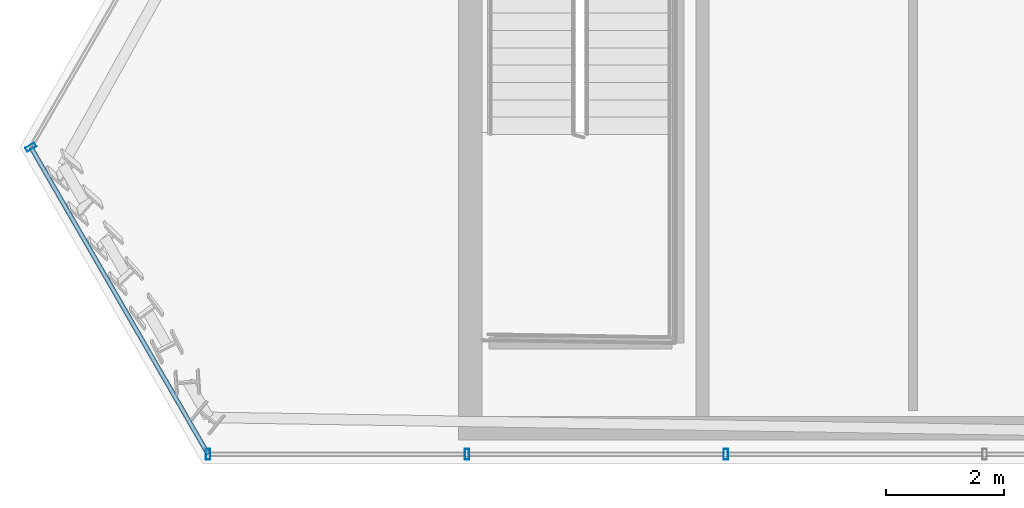
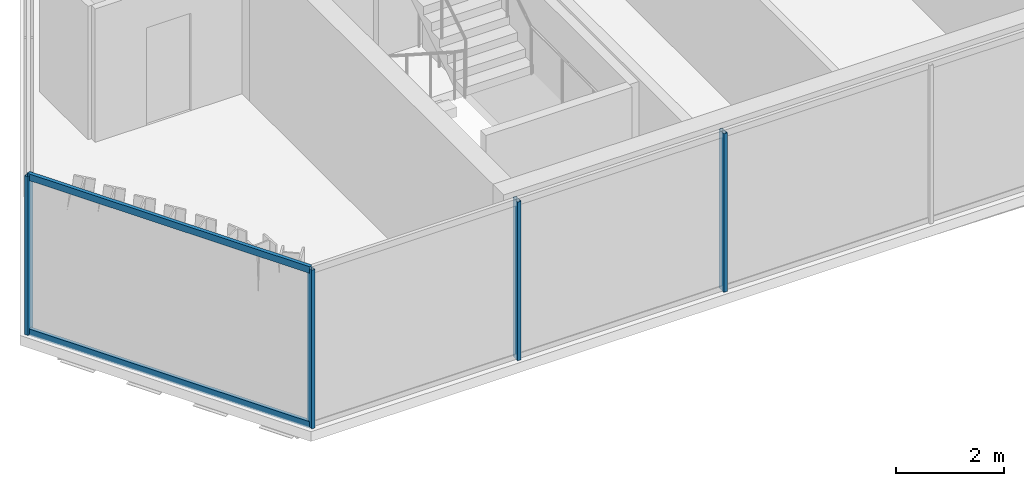
# One storey, part 3 of 32: 6 members, 2 elements without a shape of their own.
"""IFC4 building model written with IfcOpenShell, lengths in metres."""

from ifc_helpers import new_model, si_unit, direction, frame, origin, origin_2d, place, context, subcontext, project, spatial, hollow_rectangle, extrude, material, layer, layer_set, material_profile, profile_set, type_object, element, aggregate, save


model = new_model("IFC4")

# Units and contexts
model_context = context("Model", 3, precision=1e-05, world=origin(), true_north=direction((0.0, 1.0)))
body_context = subcontext(model_context, "Body", "Model", "MODEL_VIEW")
ifc_project = project(units=[si_unit("LENGTHUNIT", "METRE"), si_unit("AREAUNIT", "SQUARE_METRE"), si_unit("VOLUMEUNIT", "CUBIC_METRE"), si_unit("PLANEANGLEUNIT", "RADIAN"), si_unit("MASSUNIT", "GRAM", prefix="KILO")], contexts=[model_context])

# Site, building, storey
site_placement = place(None, origin())
site = spatial("IfcSite", under=ifc_project, at=site_placement, CompositionType="ELEMENT")
building_placement = place(site_placement, origin())
building = spatial("IfcBuilding", under=site, at=building_placement, Name="Ndaravel Arena Tower", CompositionType="ELEMENT")
storey_placement = place(building_placement, frame((0.0, 0.0, 259.800048828125)))
storey = spatial("IfcBuildingStorey", under=building, at=storey_placement, Name="L63", CompositionType="ELEMENT", Elevation=259.800048828125)

# Curtain wall, members
ifc_material_1 = material(Name="Aluminium", Category="aluminium")
ifc_layer_1 = layer(ifc_material_1, 0.179931640625)
ifc_layer_set_1 = layer_set([ifc_layer_1], Name="Aluminium")
curtain_wall_type_1 = type_object("IfcCurtainWallType", Name="CW-SYS-03", PredefinedType="NOTDEFINED", material=ifc_layer_set_1)
curtain_wall_1_placement = place(storey_placement, origin())
curtain_wall_1 = element("IfcCurtainWall", 1, at=curtain_wall_1_placement, inside=storey, type_object=curtain_wall_type_1, Name="L63 Faceted Crystal Curtain Wall CW-L63-E01", PredefinedType="NOTDEFINED")
ifc_material_2 = material(Name="Aluminium", Category="aluminium")
ifc_material_profile_1 = material_profile(ifc_material_2, hollow_rectangle(XDim=0.074951171875, YDim=0.179931640625, WallThickness=0.00390625, at=origin_2d()), Name="CW MULLION 75x180x4")
ifc_profile_set_1 = profile_set([ifc_material_profile_1], Name="Aluminium")
member_type_1 = type_object("IfcMemberType", Name="MEM-CW-MUL180", PredefinedType="MULLION", material=ifc_profile_set_1)
member_1_placement = place(storey_placement, frame((22.197021484375, 5.159912109375, 0.0), z_axis=(0.0, 0.0, 1.0), x_axis=(1.0, 0.0, 0.0)))
member_1 = element("IfcMember", 2, at=member_1_placement, type_object=member_type_1, Name="CW-L63-E01 Mullion 00", PredefinedType="MULLION", context=body_context, shape_type="SweptSolid", body=[
    extrude(hollow_rectangle(XDim=0.074951171875, YDim=0.179931640625, WallThickness=0.00390625, at=origin_2d()), origin(), (0.0, 0.0, 1.0), 3.579833984375),
])
member_2_placement = place(storey_placement, frame((26.59765625, 5.159912109375, 0.0), z_axis=(0.0, 0.0, 1.0), x_axis=(1.0, 0.0, 0.0)))
member_2 = element("IfcMember", 3, at=member_2_placement, type_object=member_type_1, Name="CW-L63-E01 Mullion 01", PredefinedType="MULLION", context=body_context, shape_type="SweptSolid", body=[
    extrude(hollow_rectangle(XDim=0.074951171875, YDim=0.179931640625, WallThickness=0.00390625, at=origin_2d()), origin(), (0.0, 0.0, 1.0), 3.579833984375),
])
member_3_placement = place(storey_placement, frame((30.998291015625, 5.159912109375, 0.0), z_axis=(0.0, 0.0, 1.0), x_axis=(1.0, 0.0, 0.0)))
member_3 = element("IfcMember", 4, at=member_3_placement, type_object=member_type_1, Name="CW-L63-E01 Mullion 02", PredefinedType="MULLION", context=body_context, shape_type="SweptSolid", body=[
    extrude(hollow_rectangle(XDim=0.074951171875, YDim=0.179931640625, WallThickness=0.00390625, at=origin_2d()), origin(), (0.0, 0.0, 1.0), 3.579833984375),
])
aggregate(curtain_wall_1, [member_1, member_2, member_3])

ifc_material_3 = material(Name="Aluminium", Category="aluminium")
ifc_layer_2 = layer(ifc_material_3, 0.179931640625)
ifc_layer_set_2 = layer_set([ifc_layer_2], Name="Aluminium")
curtain_wall_type_2 = type_object("IfcCurtainWallType", Name="CW-SYS-02", PredefinedType="NOTDEFINED", material=ifc_layer_set_2)
curtain_wall_2_placement = place(storey_placement, origin())
curtain_wall_2 = element("IfcCurtainWall", 5, at=curtain_wall_2_placement, inside=storey, type_object=curtain_wall_type_2, Name="L63 Faceted Crystal Curtain Wall CW-L63-E06", PredefinedType="NOTDEFINED")
member_4_placement = place(storey_placement, frame((19.183349609375, 10.3798828125, 0.0), z_axis=(0.0, 0.0, 1.0), x_axis=(0.5, -0.866025403784, 0.0)))
member_4 = element("IfcMember", 6, at=member_4_placement, type_object=member_type_1, Name="CW-L63-E06 Mullion 00", PredefinedType="MULLION", context=body_context, shape_type="SweptSolid", body=[
    extrude(hollow_rectangle(XDim=0.074951171875, YDim=0.179931640625, WallThickness=0.00390625, at=origin_2d()), origin(), (0.0, 0.0, 1.0), 3.579833984375),
])
ifc_material_4 = material(Name="Aluminium", Category="aluminium")
ifc_material_profile_2 = material_profile(ifc_material_4, hollow_rectangle(XDim=0.074951171875, YDim=0.14990234375, WallThickness=0.00390625, at=origin_2d()), Name="CW TRANSOM 75x150x4")
ifc_profile_set_2 = profile_set([ifc_material_profile_2], Name="Aluminium")
member_type_2 = type_object("IfcMemberType", Name="MEM-CW-TRN150", PredefinedType="USERDEFINED", material=ifc_profile_set_2)
member_5_placement = place(storey_placement, frame((19.183349609375, 10.3798828125, 0.0400390625), z_axis=(0.49999009336, -0.86603112331, 0.0), x_axis=(0.86603112331, 0.49999009336, 0.0)))
member_5 = element("IfcMember", 7, at=member_5_placement, type_object=member_type_2, Name="CW-L63-E06 Transom 01", ObjectType="TRANSOM", PredefinedType="USERDEFINED", context=body_context, shape_type="SweptSolid", body=[
    extrude(hollow_rectangle(XDim=0.074951171875, YDim=0.14990234375, WallThickness=0.00390625, at=origin_2d()), origin(), (0.0, 0.0, 1.0), 6.02734375),
])
member_6_placement = place(storey_placement, frame((19.183349609375, 10.3798828125, 3.5400390625), z_axis=(0.49999009336, -0.86603112331, 0.0), x_axis=(0.86603112331, 0.49999009336, 0.0)))
member_6 = element("IfcMember", 8, at=member_6_placement, type_object=member_type_2, Name="CW-L63-E06 Transom 02", ObjectType="TRANSOM", PredefinedType="USERDEFINED", context=body_context, shape_type="SweptSolid", body=[
    extrude(hollow_rectangle(XDim=0.074951171875, YDim=0.14990234375, WallThickness=0.00390625, at=origin_2d()), origin(), (0.0, 0.0, 1.0), 6.02734375),
])
aggregate(curtain_wall_2, [member_4, member_5, member_6])

save(model, "model.ifc")
